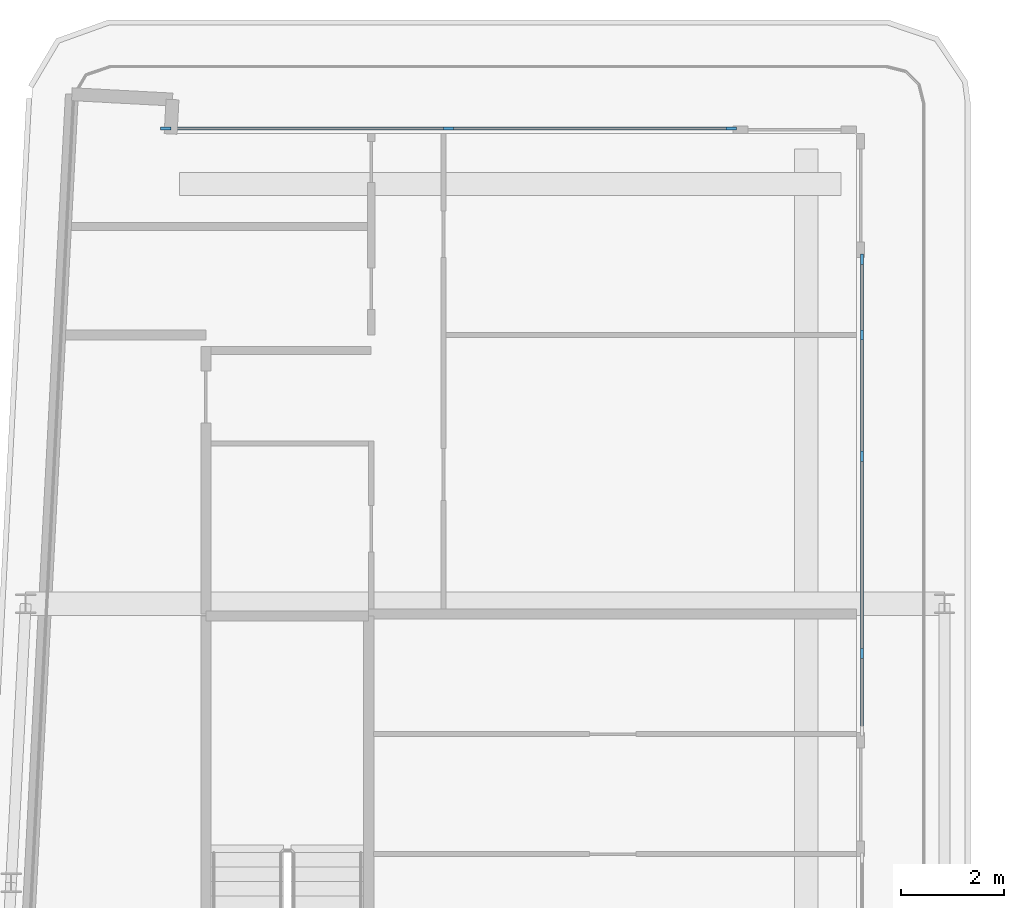
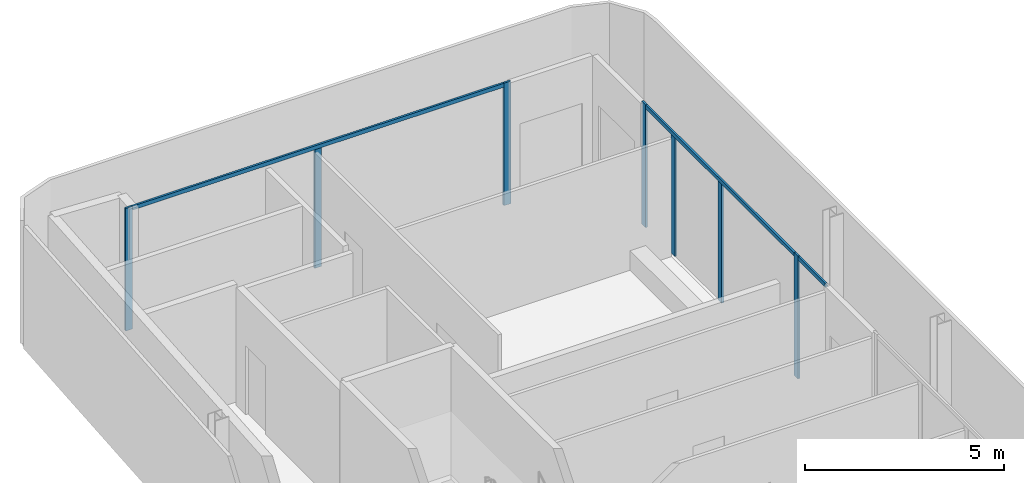
# One storey, part 8 of 21: 10 members, 3 elements without a shape of their own.
"""IFC4 building model written with IfcOpenShell, lengths in metres."""

from ifc_helpers import new_model, si_unit, direction, frame, origin, origin_2d, place, context, subcontext, project, spatial, rectangle, extrude, material, layer, layer_set, material_profile, profile_set, type_object, element, aggregate, save


model = new_model("IFC4")

# Units and contexts
model_context = context("Model", 3, precision=1e-05, world=origin(), true_north=direction((0.0, 1.0)))
body_context = subcontext(model_context, "Body", "Model", "MODEL_VIEW")
ifc_project = project(units=[si_unit("LENGTHUNIT", "METRE"), si_unit("AREAUNIT", "SQUARE_METRE"), si_unit("VOLUMEUNIT", "CUBIC_METRE"), si_unit("PLANEANGLEUNIT", "RADIAN"), si_unit("MASSUNIT", "GRAM", prefix="KILO")], contexts=[model_context])

# Site, building, storey
site_placement = place(None, origin())
site = spatial("IfcSite", under=ifc_project, at=site_placement, CompositionType="ELEMENT")
building_placement = place(site_placement, origin())
building = spatial("IfcBuilding", under=site, at=building_placement, Name="Kheshtan School and Residences Tower", CompositionType="ELEMENT")
storey_placement = place(building_placement, frame((0.0, 0.0, 294.199951171875)))
storey = spatial("IfcBuildingStorey", under=building, at=storey_placement, Name="L69", CompositionType="ELEMENT", Elevation=294.199951171875)

# Curtain wall, members
ifc_material_1 = material(Name="Clear low-e glass in thermally broken aluminium frame", Category="aluminium")
ifc_layer = layer(ifc_material_1, 0.199951171875)
ifc_layer_set = layer_set([ifc_layer], Name="Curtain wall CW-L")
curtain_wall_type = type_object("IfcCurtainWallType", Name="Curtain wall CW-L", PredefinedType="NOTDEFINED", material=ifc_layer_set)
curtain_wall_1_placement = place(storey_placement, origin())
curtain_wall_1 = element("IfcCurtainWall", 1, at=curtain_wall_1_placement, inside=storey, type_object=curtain_wall_type, Name="Curtain wall CWL7", PredefinedType="NOTDEFINED")
ifc_material_2 = material(Name="Thermally broken aluminium, dark bronze anodised", Category="aluminium")
ifc_material_profile_1 = material_profile(ifc_material_2, rectangle(XDim=0.06005859375, YDim=0.199951171875, at=origin_2d()), Name="CW-L mullion 60x200")
ifc_profile_set_1 = profile_set([ifc_material_profile_1], Name="Thermally broken aluminium, dark bronze anodised")
member_type_1 = type_object("IfcMemberType", Name="CW-L mullion 60x200", PredefinedType="MULLION", material=ifc_profile_set_1)
member_1_placement = place(storey_placement, frame((32.52197265625, 98.0, 0.0), z_axis=(0.0, 0.0, 1.0), x_axis=(0.0, 1.0, 0.0)))
member_1 = element("IfcMember", 2, at=member_1_placement, type_object=member_type_1, Name="CWL7 mullion 1", PredefinedType="MULLION", context=body_context, shape_type="SweptSolid", body=[
    extrude(rectangle(XDim=0.06005859375, YDim=0.199951171875, at=origin_2d()), origin(), (0.0, 0.0, 1.0), 3.75),
])
member_2_placement = place(storey_placement, frame((37.99609375, 98.0, 0.0), z_axis=(0.0, 0.0, 1.0), x_axis=(0.0, 1.0, 0.0)))
member_2 = element("IfcMember", 3, at=member_2_placement, type_object=member_type_1, Name="CWL7 mullion 2", PredefinedType="MULLION", context=body_context, shape_type="SweptSolid", body=[
    extrude(rectangle(XDim=0.06005859375, YDim=0.199951171875, at=origin_2d()), origin(), (0.0, 0.0, 1.0), 3.630126953125),
])
member_3_placement = place(storey_placement, frame((43.469970703125, 98.0, 0.0), z_axis=(0.0, 0.0, 1.0), x_axis=(0.0, 1.0, 0.0)))
member_3 = element("IfcMember", 4, at=member_3_placement, type_object=member_type_1, Name="CWL7 mullion 3", PredefinedType="MULLION", context=body_context, shape_type="SweptSolid", body=[
    extrude(rectangle(XDim=0.06005859375, YDim=0.199951171875, at=origin_2d()), origin(), (0.0, 0.0, 1.0), 3.75),
])

curtain_wall_2_placement = place(storey_placement, origin())
curtain_wall_2 = element("IfcCurtainWall", 5, at=curtain_wall_2_placement, inside=storey, type_object=curtain_wall_type, Name="Curtain wall CWL8c", PredefinedType="NOTDEFINED")
member_4_placement = place(storey_placement, frame((46.0, 95.469970703125, 0.0), z_axis=(0.0, 0.0, 1.0), x_axis=(1.0, 0.0, 0.0)))
member_4 = element("IfcMember", 6, at=member_4_placement, type_object=member_type_1, Name="CWL8c mullion 1", PredefinedType="MULLION", context=body_context, shape_type="SweptSolid", body=[
    extrude(rectangle(XDim=0.06005859375, YDim=0.199951171875, at=origin_2d()), origin(), (0.0, 0.0, 1.0), 3.75),
])
member_5_placement = place(storey_placement, frame((46.0, 94.0, 0.0), z_axis=(0.0, 0.0, 1.0), x_axis=(1.0, 0.0, 0.0)))
member_5 = element("IfcMember", 7, at=member_5_placement, type_object=member_type_1, Name="CWL8c mullion 2", PredefinedType="MULLION", context=body_context, shape_type="SweptSolid", body=[
    extrude(rectangle(XDim=0.06005859375, YDim=0.199951171875, at=origin_2d()), origin(), (0.0, 0.0, 1.0), 3.630126953125),
])
member_6_placement = place(storey_placement, frame((46.0, 91.653076171875, 0.0), z_axis=(0.0, 0.0, 1.0), x_axis=(1.0, 0.0, 0.0)))
member_6 = element("IfcMember", 8, at=member_6_placement, type_object=member_type_1, Name="CWL8c mullion 3", PredefinedType="MULLION", context=body_context, shape_type="SweptSolid", body=[
    extrude(rectangle(XDim=0.06005859375, YDim=0.199951171875, at=origin_2d()), origin(), (0.0, 0.0, 1.0), 3.630126953125),
])
member_7_placement = place(storey_placement, frame((46.0, 87.8359375, 0.0), z_axis=(0.0, 0.0, 1.0), x_axis=(1.0, 0.0, 0.0)))
member_7 = element("IfcMember", 9, at=member_7_placement, type_object=member_type_1, Name="CWL8c mullion 4", PredefinedType="MULLION", context=body_context, shape_type="SweptSolid", body=[
    extrude(rectangle(XDim=0.06005859375, YDim=0.199951171875, at=origin_2d()), origin(), (0.0, 0.0, 1.0), 3.75),
])

# Member
ifc_material_profile_2 = material_profile(ifc_material_2, rectangle(XDim=0.06005859375, YDim=0.1201171875, at=origin_2d()), Name="CW-L transom 60x120")
ifc_profile_set_2 = profile_set([ifc_material_profile_2], Name="Thermally broken aluminium, dark bronze anodised")
member_type_2 = type_object("IfcMemberType", Name="CW-L transom 60x120", PredefinedType="USERDEFINED", material=ifc_profile_set_2)
member_8_placement = place(storey_placement, frame((32.552001953125, 98.0, 3.68994140625), z_axis=(1.0, 0.0, 0.0), x_axis=(0.0, 1.0, 0.0)))
member_8 = element("IfcMember", 10, at=member_8_placement, type_object=member_type_2, Name="CWL7 transom 1", ObjectType="TRANSOM", PredefinedType="USERDEFINED", context=body_context, shape_type="SweptSolid", body=[
    extrude(rectangle(XDim=0.06005859375, YDim=0.1201171875, at=origin_2d()), origin(), (0.0, 0.0, 1.0), 10.887939453125),
])

aggregate(curtain_wall_1, [member_1, member_2, member_3, member_8])

member_9_placement = place(storey_placement, frame((46.0, 95.43994140625, 3.68994140625), z_axis=(0.0, -1.0, 0.0), x_axis=(1.0, 0.0, 0.0)))
member_9 = element("IfcMember", 11, at=member_9_placement, type_object=member_type_2, Name="CWL8c transom 1", ObjectType="TRANSOM", PredefinedType="USERDEFINED", context=body_context, shape_type="SweptSolid", body=[
    extrude(rectangle(XDim=0.06005859375, YDim=0.1201171875, at=origin_2d()), origin(), (0.0, 0.0, 1.0), 7.573974609375),
])

aggregate(curtain_wall_2, [member_4, member_5, member_6, member_7, member_9])

# Curtain wall, member
curtain_wall_3_placement = place(storey_placement, origin())
curtain_wall_3 = element("IfcCurtainWall", 12, at=curtain_wall_3_placement, inside=storey, type_object=curtain_wall_type, Name="Curtain wall CWL8a", PredefinedType="NOTDEFINED")
member_10_placement = place(storey_placement, frame((46.0, 87.805908203125, 3.68994140625), z_axis=(0.0, -1.0, 0.0), x_axis=(1.0, 0.0, 0.0)))
member_10 = element("IfcMember", 13, at=member_10_placement, type_object=member_type_2, Name="CWL8a transom 1", ObjectType="TRANSOM", PredefinedType="USERDEFINED", context=body_context, shape_type="SweptSolid", body=[
    extrude(rectangle(XDim=0.06005859375, YDim=0.1201171875, at=origin_2d()), origin(), (0.0, 0.0, 1.0), 1.43994140625),
])
aggregate(curtain_wall_3, [member_10])

save(model, "model.ifc")
